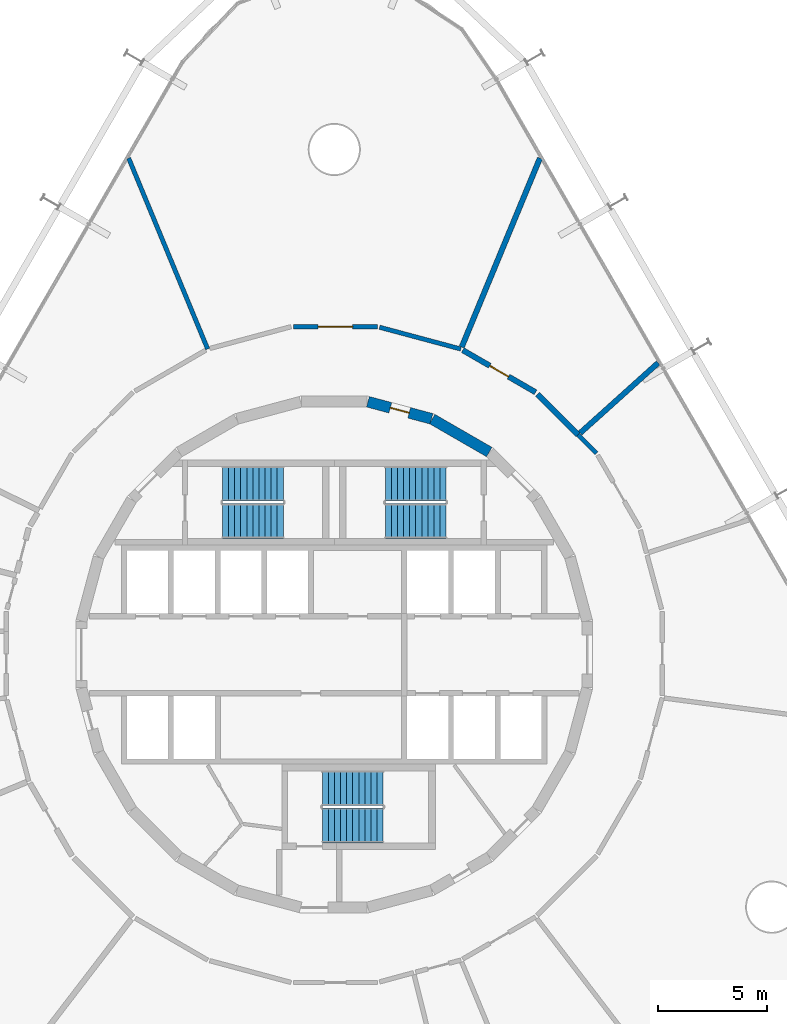
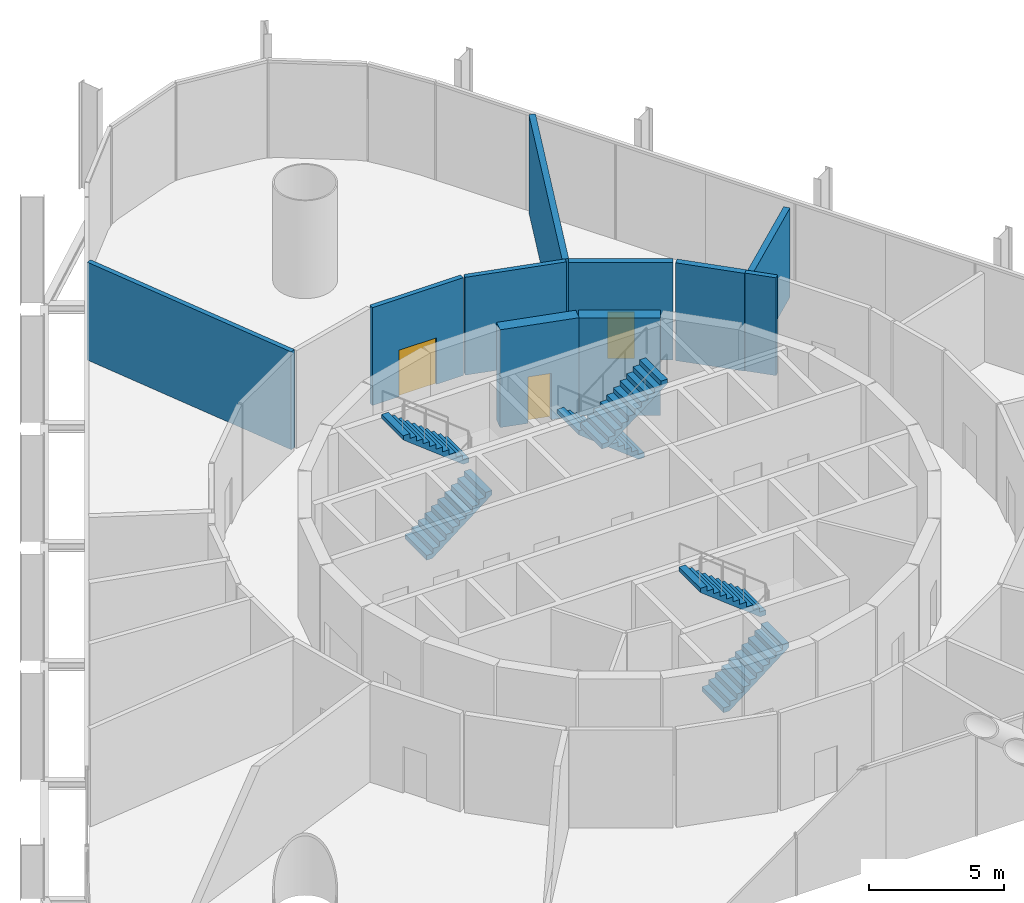
# One storey, part 16 of 17: 10 walls, 6 stair flights, 3 doors, 3 openings, 3 elements without a shape of their own.
"""IFC4 building model written with IfcOpenShell, lengths in metres."""

from ifc_helpers import new_model, si_unit, direction, frame, frame_2d, origin, place, context, subcontext, project, spatial, polyline, rectangle, outline, extrude, material, layer, layer_set, type_object, element, fill, aggregate, save


model = new_model("IFC4")

# Units and contexts
model_context = context("Model", 3, precision=1e-05, world=origin(), true_north=direction((0.0, 1.0)))
body_context = subcontext(model_context, "Body", "Model", "MODEL_VIEW")
ifc_project = project(units=[si_unit("LENGTHUNIT", "METRE"), si_unit("AREAUNIT", "SQUARE_METRE"), si_unit("VOLUMEUNIT", "CUBIC_METRE"), si_unit("PLANEANGLEUNIT", "RADIAN"), si_unit("MASSUNIT", "GRAM", prefix="KILO")], contexts=[model_context])

# Site, building, storey
site_placement = place(None, origin())
site = spatial("IfcSite", under=ifc_project, at=site_placement, CompositionType="ELEMENT")
building_placement = place(site_placement, origin())
building = spatial("IfcBuilding", under=site, at=building_placement, Name="Spindle Arch Residences", CompositionType="ELEMENT")
storey_placement = place(building_placement, frame((0.0, 0.0, 23.39990234375)))
storey = spatial("IfcBuildingStorey", under=building, at=storey_placement, Name="L04", CompositionType="ELEMENT", Elevation=23.39990234375)

# Wall
ifc_material_1 = material(Name="Concrete C50/60", Category="concrete")
ifc_layer_1 = layer(ifc_material_1, 0.5)
ifc_layer_set_1 = layer_set([ifc_layer_1], Name="Core outline wall 500")
wall_type_1 = type_object("IfcWallType", Name="Core outline wall 500", PredefinedType="SHEAR", material=ifc_layer_set_1)
wall_1_placement = place(storey_placement, frame((7.13671875, 9.32861328125, 0.0), z_axis=(0.0, 0.0, 1.0), x_axis=(-0.865975092491, 0.500087131594, 0.0)))
element("IfcWall", 1, at=wall_1_placement, inside=storey, type_object=wall_type_1, Name="Core outline wall 10", PredefinedType="SHEAR", context=body_context, shape_type="SweptSolid", body=[
    extrude(rectangle(XDim=3.03271484375, YDim=0.5, at=frame_2d((1.516357421875, 0.0))), origin(), (0.0, 0.0, 1.0), 4.420166015625),
])

# Wall, opening, door
wall_2_placement = place(storey_placement, frame((4.479248046875, 10.858154296875, 0.0), z_axis=(0.0, 0.0, 1.0), x_axis=(-0.965948410781, 0.258734743916, 0.0)))
wall_2 = element("IfcWall", 2, at=wall_2_placement, inside=storey, type_object=wall_type_1, Name="Core outline wall 11", PredefinedType="SHEAR", context=body_context, shape_type="SweptSolid", body=[
    extrude(rectangle(XDim=3.03271484375, YDim=0.5, at=frame_2d((1.516357421875, 0.0))), origin(), (0.0, 0.0, 1.0), 4.420166015625),
])
opening_1_placement = place(wall_2_placement, frame((1.066162109375, 0.0, 0.0)))
opening_1 = element("IfcOpeningElement", 3, at=opening_1_placement, cuts=wall_2, Name="Opening L04-WD09", PredefinedType="OPENING", context=body_context, shape_type="SweptSolid", body=[
    extrude(rectangle(XDim=0.89990234375, YDim=2.10009765625, at=frame_2d((0.449951171875, 1.050048828125))), frame((0.0, 0.260009765625, 0.0), z_axis=(0.0, -1.0, 0.0), x_axis=(1.0, 0.0, 0.0)), (0.0, 0.0, 1.0), 0.52001953125),
])
ifc_material_2 = material(Name="Steel, fire-resisting door", Category="steel")
door_type_1 = type_object("IfcDoorType", Name="Service room door 900x2100", OperationType="SINGLE_SWING_LEFT", PredefinedType="DOOR", material=ifc_material_2)
door_1_placement = place(opening_1_placement, origin())
door_1 = element("IfcDoor", 4, at=door_1_placement, inside=storey, type_object=door_type_1, Name="Service room door L04-WD09", OperationType="SINGLE_SWING_RIGHT", OverallHeight=2.10009765625, OverallWidth=0.89990234375, PredefinedType="DOOR", context=body_context, shape_type="SweptSolid", body=[
    extrude(rectangle(XDim=0.89990234375, YDim=2.10009765625, at=frame_2d((0.449951171875, 1.050048828125))), frame((0.0, 0.02490234375, 0.0), z_axis=(0.0, -1.0, 0.0), x_axis=(1.0, 0.0, 0.0)), (0.0, 0.0, 1.0), 0.050048828125),
])
fill(opening_1, door_1)

ifc_material_3 = material(Name="Concrete C25/30 wall", Category="concrete")
ifc_layer_2 = layer(ifc_material_3, 0.25)
ifc_layer_set_2 = layer_set([ifc_layer_2], Name="Partition EI 120 250 store")
wall_type_2 = type_object("IfcWallType", Name="Partition EI 120 250 store", PredefinedType="PARTITIONING", material=ifc_layer_set_2)
wall_3_placement = place(storey_placement, frame((9.27001953125, 12.080078125, 0.0), z_axis=(0.0, 0.0, 1.0), x_axis=(-0.865601686425, 0.500733182901, 0.0)))
wall_3 = element("IfcWall", 5, at=wall_3_placement, inside=storey, type_object=wall_type_2, Name="L04-W032", PredefinedType="PARTITIONING", context=body_context, shape_type="SweptSolid", body=[
    extrude(rectangle(XDim=3.874267578125, YDim=0.25, at=frame_2d((1.93701171875, 0.0))), origin(), (0.0, 0.0, 1.0), 4.420166015625),
])
opening_2_placement = place(wall_3_placement, frame((1.43701171875, 0.0, 0.0)))
opening_2 = element("IfcOpeningElement", 6, at=opening_2_placement, cuts=wall_3, Name="Opening L04-D13", PredefinedType="OPENING", context=body_context, shape_type="SweptSolid", body=[
    extrude(rectangle(XDim=1.0, YDim=2.10009765625, at=frame_2d((0.5, 1.050048828125))), frame((0.0, 0.135009765625, 0.0), z_axis=(0.0, -1.0, 0.0), x_axis=(1.0, 0.0, 0.0)), (0.0, 0.0, 1.0), 0.27001953125),
])
ifc_material_4 = material(Name="Steel door leaf, painted", Category="steel")
door_type_2 = type_object("IfcDoorType", Name="Door 1000x2100 EI 60", OperationType="SINGLE_SWING_LEFT", PredefinedType="DOOR", material=ifc_material_4)
door_2_placement = place(opening_2_placement, origin())
door_2 = element("IfcDoor", 7, at=door_2_placement, inside=storey, type_object=door_type_2, Name="L04-D13", OperationType="SINGLE_SWING_LEFT", OverallHeight=2.10009765625, OverallWidth=1.0, PredefinedType="DOOR", context=body_context, shape_type="SweptSolid", body=[
    extrude(rectangle(XDim=1.0, YDim=2.10009765625, at=frame_2d((0.5, 1.050048828125))), frame((0.0, 0.02490234375, 0.0), z_axis=(0.0, -1.0, 0.0), x_axis=(1.0, 0.0, 0.0)), (0.0, 0.0, 1.0), 0.050048828125),
])
fill(opening_2, door_2)

# Walls
wall_4_placement = place(storey_placement, frame((9.469970703125, 22.860107421875, 0.0), z_axis=(0.0, 0.0, 1.0), x_axis=(-0.382599926304, -0.923914117433, 0.0)))
element("IfcWall", 8, at=wall_4_placement, inside=storey, type_object=wall_type_2, Name="L04-W033", PredefinedType="PARTITIONING", context=body_context, shape_type="SweptSolid", body=[
    extrude(rectangle(XDim=9.4140625, YDim=0.25, at=frame_2d((4.70703125, 0.0))), origin(), (0.0, 0.0, 1.0), 4.420166015625),
])
wall_5_placement = place(storey_placement, frame((11.22998046875, 10.1201171875, 0.0), z_axis=(0.0, 0.0, 1.0), x_axis=(-0.707106781187, 0.707106781187, 0.0)))
element("IfcWall", 9, at=wall_5_placement, inside=storey, type_object=wall_type_2, Name="L04-W034", PredefinedType="PARTITIONING", context=body_context, shape_type="SweptSolid", body=[
    extrude(rectangle(XDim=2.646728515625, YDim=0.25, at=frame_2d((1.3232421875, 0.0))), origin(), (0.0, 0.0, 1.0), 4.420166015625),
])
wall_6_placement = place(storey_placement, frame((11.322998046875, 10.20361328125, 0.0), z_axis=(0.0, 0.0, 1.0), x_axis=(0.743490383827, 0.668746625529, 0.0)))
element("IfcWall", 10, at=wall_6_placement, inside=storey, type_object=wall_type_2, Name="L04-W035", PredefinedType="PARTITIONING", context=body_context, shape_type="SweptSolid", body=[
    extrude(rectangle(XDim=4.824462890625, YDim=0.25, at=frame_2d((2.412109375, 0.0))), origin(), (0.0, 0.0, 1.0), 4.030029296875),
])
ifc_material_5 = material(Name="Gypsum board partition on steel studs", Category="steel")
ifc_layer_3 = layer(ifc_material_5, 0.199951171875)
ifc_layer_set_3 = layer_set([ifc_layer_3], Name="Partition EI 60 200 amenity")
wall_type_3 = type_object("IfcWallType", Name="Partition EI 60 200 amenity", PredefinedType="PARTITIONING", material=ifc_layer_set_3)
wall_7_placement = place(storey_placement, frame((-5.830078125, 14.070068359375, 0.0), z_axis=(0.0, 0.0, 1.0), x_axis=(-0.382588257379, 0.923918949538, 0.0)))
element("IfcWall", 11, at=wall_7_placement, inside=storey, type_object=wall_type_3, Name="L04-W019", PredefinedType="PARTITIONING", context=body_context, shape_type="SweptSolid", body=[
    extrude(rectangle(XDim=9.513916015625, YDim=0.199951171875, at=frame_2d((4.7568359375, 0.0))), origin(), (0.0, 0.0, 1.0), 4.420166015625),
])

# Wall, opening, door
wall_8_placement = place(storey_placement, frame((1.989990234375, 15.10009765625, 0.0), z_axis=(0.0, 0.0, 1.0), x_axis=(-1.0, 0.0, 0.0)))
wall_8 = element("IfcWall", 12, at=wall_8_placement, inside=storey, type_object=wall_type_3, Name="L04-W024", PredefinedType="PARTITIONING", context=body_context, shape_type="SweptSolid", body=[
    extrude(rectangle(XDim=3.8798828125, YDim=0.199951171875, at=frame_2d((1.93994140625, 0.0))), origin(), (0.0, 0.0, 1.0), 4.420166015625),
])
opening_3_placement = place(wall_8_placement, frame((1.139892578125, 0.0, 0.0)))
opening_3 = element("IfcOpeningElement", 13, at=opening_3_placement, cuts=wall_8, Name="Opening L04-D14", PredefinedType="OPENING", context=body_context, shape_type="SweptSolid", body=[
    extrude(rectangle(XDim=1.60009765625, YDim=2.10009765625, at=frame_2d((0.800048828125, 1.050048828125))), frame((0.0, 0.10986328125, 0.0), z_axis=(0.0, -1.0, 0.0), x_axis=(1.0, 0.0, 0.0)), (0.0, 0.0, 1.0), 0.219970703125),
])
ifc_material_6 = material(Name="Timber door leaves, acoustic seals", Category="wood")
door_type_3 = type_object("IfcDoorType", Name="Event hall double door EI 30 1600x2100", OperationType="DOUBLE_DOOR_SINGLE_SWING", PredefinedType="DOOR", material=ifc_material_6)
door_3_placement = place(opening_3_placement, origin())
door_3 = element("IfcDoor", 14, at=door_3_placement, inside=storey, type_object=door_type_3, Name="L04-D14", OperationType="DOUBLE_DOOR_SINGLE_SWING", OverallHeight=2.10009765625, OverallWidth=1.60009765625, PredefinedType="DOOR", context=body_context, shape_type="SweptSolid", body=[
    extrude(rectangle(XDim=1.60009765625, YDim=2.10009765625, at=frame_2d((0.800048828125, 1.050048828125))), frame((0.0, 0.02490234375, 0.0), z_axis=(0.0, -1.0, 0.0), x_axis=(1.0, 0.0, 0.0)), (0.0, 0.0, 1.0), 0.050048828125),
])
fill(opening_3, door_3)

# Walls
wall_9_placement = place(storey_placement, frame((5.830078125, 14.070068359375, 0.0), z_axis=(0.0, 0.0, 1.0), x_axis=(-0.965870133458, 0.259026804199, 0.0)))
element("IfcWall", 15, at=wall_9_placement, inside=storey, type_object=wall_type_3, Name="L04-W029", PredefinedType="PARTITIONING", context=body_context, shape_type="SweptSolid", body=[
    extrude(rectangle(XDim=3.875732421875, YDim=0.199951171875, at=frame_2d((1.93798828125, 0.0))), origin(), (0.0, 0.0, 1.0), 4.420166015625),
])
wall_10_placement = place(storey_placement, frame((12.080078125, 9.27001953125, 0.0), z_axis=(0.0, 0.0, 1.0), x_axis=(-0.707106781187, 0.707106781187, 0.0)))
element("IfcWall", 16, at=wall_10_placement, inside=storey, type_object=wall_type_3, Name="L04-W037", PredefinedType="PARTITIONING", context=body_context, shape_type="SweptSolid", body=[
    extrude(rectangle(XDim=1.2021484375, YDim=0.199951171875, at=frame_2d((0.60107421875, 0.0))), origin(), (0.0, 0.0, 1.0), 4.420166015625),
])

# Stair, stair flights
ifc_material_7 = material(Name="Concrete C50/60", Category="concrete")
stair_type = type_object("IfcStairType", Name="Exit stair 22 risers", PredefinedType="HALF_TURN_STAIR", material=ifc_material_7)
stair_1_placement = place(storey_placement, origin())
stair_1 = element("IfcStair", 17, at=stair_1_placement, inside=storey, type_object=stair_type, Name="L04 Exit stair ST1", PredefinedType="HALF_TURN_STAIR")
ifc_material_8 = material(Name="Concrete C50/60", Category="concrete")
stair_flight_type = type_object("IfcStairFlightType", Name="Exit stair flight", PredefinedType="STRAIGHT", material=ifc_material_8)
stair_flight_1_placement = place(storey_placement, frame((5.14990234375, 7.8701171875, 0.0), z_axis=(0.0, 0.0, 1.0), x_axis=(-1.0, 0.0, 0.0)))
stair_flight_1 = element("IfcStairFlight", 18, at=stair_flight_1_placement, type_object=stair_flight_type, Name="ST1 flight 1", NumberOfRisers=11, NumberOfTreads=10, PredefinedType="STRAIGHT", RiserHeight=0.218181818, TreadLength=0.28, context=body_context, shape_type="SweptSolid", body=[
    extrude(outline(polyline([(0.0, 0.0), (0.0, 0.21826171875), (0.280029296875, 0.21826171875), (0.280029296875, 0.436279296875), (0.56005859375, 0.436279296875), (0.56005859375, 0.654541015625), (0.840087890625, 0.654541015625), (0.840087890625, 0.872802734375), (1.1201171875, 0.872802734375), (1.1201171875, 1.0908203125), (1.39990234375, 1.0908203125), (1.39990234375, 1.30908203125), (1.679931640625, 1.30908203125), (1.679931640625, 1.52734375), (1.9599609375, 1.52734375), (1.9599609375, 1.745361328125), (2.239990234375, 1.745361328125), (2.239990234375, 1.963623046875), (2.52001953125, 1.963623046875), (2.52001953125, 2.181884765625), (2.800048828125, 2.181884765625), (2.800048828125, 2.39990234375), (2.800048828125, 1.99169921875), (0.243896484375, 0.0), (0.0, 0.0)])), frame((0.0, 0.800048828125, 0.0), z_axis=(0.0, -1.0, 0.0), x_axis=(1.0, 0.0, 0.0)), (0.0, 0.0, 1.0), 1.60009765625),
])
stair_flight_2_placement = place(storey_placement, frame((2.35009765625, 6.14990234375, 2.400146484375), z_axis=(0.0, 0.0, 1.0), x_axis=(1.0, 0.0, 0.0)))
stair_flight_2 = element("IfcStairFlight", 19, at=stair_flight_2_placement, type_object=stair_flight_type, Name="ST1 flight 2", NumberOfRisers=11, NumberOfTreads=10, PredefinedType="STRAIGHT", RiserHeight=0.218181818, TreadLength=0.28, context=body_context, shape_type="SweptSolid", body=[
    extrude(outline(polyline([(0.0, 0.0), (0.0, 0.21826171875), (0.280029296875, 0.21826171875), (0.280029296875, 0.436279296875), (0.56005859375, 0.436279296875), (0.56005859375, 0.654541015625), (0.840087890625, 0.654541015625), (0.840087890625, 0.872802734375), (1.1201171875, 0.872802734375), (1.1201171875, 1.0908203125), (1.39990234375, 1.0908203125), (1.39990234375, 1.30908203125), (1.679931640625, 1.30908203125), (1.679931640625, 1.52734375), (1.9599609375, 1.52734375), (1.9599609375, 1.745361328125), (2.239990234375, 1.745361328125), (2.239990234375, 1.963623046875), (2.52001953125, 1.963623046875), (2.52001953125, 2.181884765625), (2.800048828125, 2.181884765625), (2.800048828125, 2.39990234375), (2.800048828125, 1.99169921875), (0.243896484375, 0.0), (0.0, 0.0)])), frame((0.0, 0.800048828125, 0.0), z_axis=(0.0, -1.0, 0.0), x_axis=(1.0, 0.0, 0.0)), (0.0, 0.0, 1.0), 1.60009765625),
])
aggregate(stair_1, [stair_flight_1, stair_flight_2])

stair_2_placement = place(storey_placement, origin())
stair_2 = element("IfcStair", 20, at=stair_2_placement, inside=storey, type_object=stair_type, Name="L04 Exit stair ST2", PredefinedType="HALF_TURN_STAIR")
stair_flight_3_placement = place(storey_placement, frame((-5.14990234375, 6.14990234375, 0.0), z_axis=(0.0, 0.0, 1.0), x_axis=(1.0, 0.0, 0.0)))
stair_flight_3 = element("IfcStairFlight", 21, at=stair_flight_3_placement, type_object=stair_flight_type, Name="ST2 flight 1", NumberOfRisers=11, NumberOfTreads=10, PredefinedType="STRAIGHT", RiserHeight=0.218181818, TreadLength=0.28, context=body_context, shape_type="SweptSolid", body=[
    extrude(outline(polyline([(0.0, 0.0), (0.0, 0.21826171875), (0.280029296875, 0.21826171875), (0.280029296875, 0.436279296875), (0.56005859375, 0.436279296875), (0.56005859375, 0.654541015625), (0.840087890625, 0.654541015625), (0.840087890625, 0.872802734375), (1.1201171875, 0.872802734375), (1.1201171875, 1.0908203125), (1.39990234375, 1.0908203125), (1.39990234375, 1.30908203125), (1.679931640625, 1.30908203125), (1.679931640625, 1.52734375), (1.9599609375, 1.52734375), (1.9599609375, 1.745361328125), (2.239990234375, 1.745361328125), (2.239990234375, 1.963623046875), (2.52001953125, 1.963623046875), (2.52001953125, 2.181884765625), (2.800048828125, 2.181884765625), (2.800048828125, 2.39990234375), (2.800048828125, 1.99169921875), (0.243896484375, 0.0), (0.0, 0.0)])), frame((0.0, 0.800048828125, 0.0), z_axis=(0.0, -1.0, 0.0), x_axis=(1.0, 0.0, 0.0)), (0.0, 0.0, 1.0), 1.60009765625),
])
stair_flight_4_placement = place(storey_placement, frame((-2.35009765625, 7.8701171875, 2.400146484375), z_axis=(0.0, 0.0, 1.0), x_axis=(-1.0, 0.0, 0.0)))
stair_flight_4 = element("IfcStairFlight", 22, at=stair_flight_4_placement, type_object=stair_flight_type, Name="ST2 flight 2", NumberOfRisers=11, NumberOfTreads=10, PredefinedType="STRAIGHT", RiserHeight=0.218181818, TreadLength=0.28, context=body_context, shape_type="SweptSolid", body=[
    extrude(outline(polyline([(0.0, 0.0), (0.0, 0.21826171875), (0.280029296875, 0.21826171875), (0.280029296875, 0.436279296875), (0.56005859375, 0.436279296875), (0.56005859375, 0.654541015625), (0.840087890625, 0.654541015625), (0.840087890625, 0.872802734375), (1.1201171875, 0.872802734375), (1.1201171875, 1.0908203125), (1.39990234375, 1.0908203125), (1.39990234375, 1.30908203125), (1.679931640625, 1.30908203125), (1.679931640625, 1.52734375), (1.9599609375, 1.52734375), (1.9599609375, 1.745361328125), (2.239990234375, 1.745361328125), (2.239990234375, 1.963623046875), (2.52001953125, 1.963623046875), (2.52001953125, 2.181884765625), (2.800048828125, 2.181884765625), (2.800048828125, 2.39990234375), (2.800048828125, 1.99169921875), (0.243896484375, 0.0), (0.0, 0.0)])), frame((0.0, 0.800048828125, 0.0), z_axis=(0.0, -1.0, 0.0), x_axis=(1.0, 0.0, 0.0)), (0.0, 0.0, 1.0), 1.60009765625),
])
aggregate(stair_2, [stair_flight_3, stair_flight_4])

stair_3_placement = place(storey_placement, origin())
stair_3 = element("IfcStair", 23, at=stair_3_placement, inside=storey, type_object=stair_type, Name="L04 Exit stair ST3", PredefinedType="HALF_TURN_STAIR")
stair_flight_5_placement = place(storey_placement, frame((-0.550048828125, -7.8701171875, 0.0), z_axis=(0.0, 0.0, 1.0), x_axis=(1.0, 0.0, 0.0)))
stair_flight_5 = element("IfcStairFlight", 24, at=stair_flight_5_placement, type_object=stair_flight_type, Name="ST3 flight 1", NumberOfRisers=11, NumberOfTreads=10, PredefinedType="STRAIGHT", RiserHeight=0.218181818, TreadLength=0.28, context=body_context, shape_type="SweptSolid", body=[
    extrude(outline(polyline([(0.0, 0.0), (0.0, 0.21826171875), (0.280029296875, 0.21826171875), (0.280029296875, 0.436279296875), (0.56005859375, 0.436279296875), (0.56005859375, 0.654541015625), (0.840087890625, 0.654541015625), (0.840087890625, 0.872802734375), (1.1201171875, 0.872802734375), (1.1201171875, 1.0908203125), (1.39990234375, 1.0908203125), (1.39990234375, 1.30908203125), (1.679931640625, 1.30908203125), (1.679931640625, 1.52734375), (1.9599609375, 1.52734375), (1.9599609375, 1.745361328125), (2.239990234375, 1.745361328125), (2.239990234375, 1.963623046875), (2.52001953125, 1.963623046875), (2.52001953125, 2.181884765625), (2.800048828125, 2.181884765625), (2.800048828125, 2.39990234375), (2.800048828125, 1.99169921875), (0.243896484375, 0.0), (0.0, 0.0)])), frame((0.0, 0.800048828125, 0.0), z_axis=(0.0, -1.0, 0.0), x_axis=(1.0, 0.0, 0.0)), (0.0, 0.0, 1.0), 1.60009765625),
])
stair_flight_6_placement = place(storey_placement, frame((2.25, -6.14990234375, 2.400146484375), z_axis=(0.0, 0.0, 1.0), x_axis=(-1.0, 0.0, 0.0)))
stair_flight_6 = element("IfcStairFlight", 25, at=stair_flight_6_placement, type_object=stair_flight_type, Name="ST3 flight 2", NumberOfRisers=11, NumberOfTreads=10, PredefinedType="STRAIGHT", RiserHeight=0.218181818, TreadLength=0.28, context=body_context, shape_type="SweptSolid", body=[
    extrude(outline(polyline([(0.0, 0.0), (0.0, 0.21826171875), (0.280029296875, 0.21826171875), (0.280029296875, 0.436279296875), (0.56005859375, 0.436279296875), (0.56005859375, 0.654541015625), (0.840087890625, 0.654541015625), (0.840087890625, 0.872802734375), (1.1201171875, 0.872802734375), (1.1201171875, 1.0908203125), (1.39990234375, 1.0908203125), (1.39990234375, 1.30908203125), (1.679931640625, 1.30908203125), (1.679931640625, 1.52734375), (1.9599609375, 1.52734375), (1.9599609375, 1.745361328125), (2.239990234375, 1.745361328125), (2.239990234375, 1.963623046875), (2.52001953125, 1.963623046875), (2.52001953125, 2.181884765625), (2.800048828125, 2.181884765625), (2.800048828125, 2.39990234375), (2.800048828125, 1.99169921875), (0.243896484375, 0.0), (0.0, 0.0)])), frame((0.0, 0.800048828125, 0.0), z_axis=(0.0, -1.0, 0.0), x_axis=(1.0, 0.0, 0.0)), (0.0, 0.0, 1.0), 1.60009765625),
])
aggregate(stair_3, [stair_flight_5, stair_flight_6])

save(model, "model.ifc")
